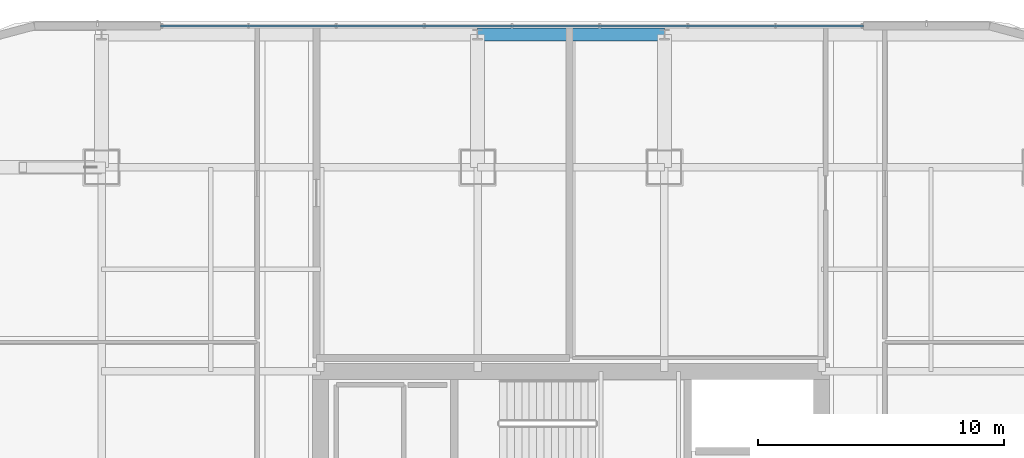
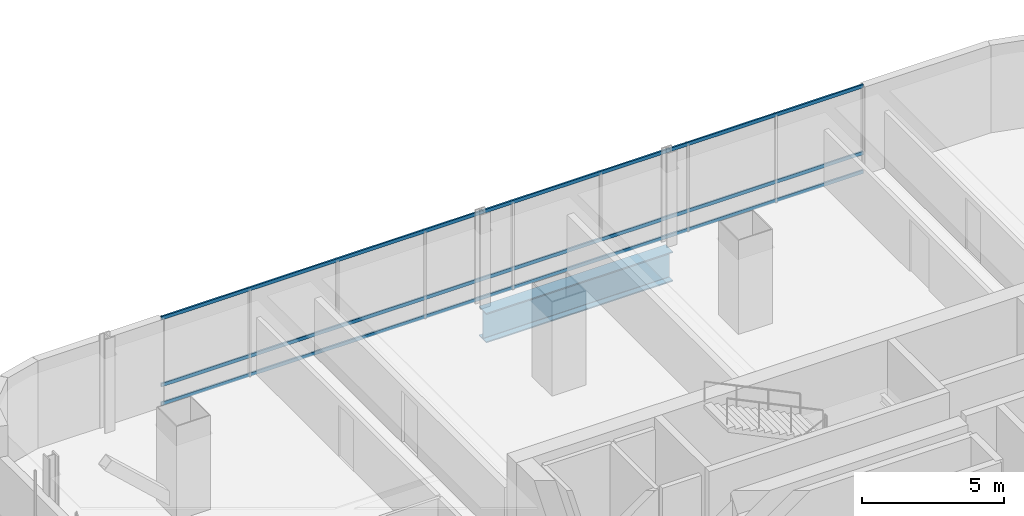
# One storey, part 24 of 47: 3 members, 1 beam, 1 element without a shape of its own.
"""IFC4 building model written with IfcOpenShell, lengths in metres."""

from ifc_helpers import new_model, si_unit, direction, frame, origin, origin_2d, place, context, subcontext, project, spatial, hollow_rectangle, i_section, extrude, material, material_profile, profile_set, type_object, element, aggregate, save


model = new_model("IFC4")

# Units and contexts
model_context = context("Model", 3, precision=1e-05, world=origin(), true_north=direction((0.0, 1.0)))
body_context = subcontext(model_context, "Body", "Model", "MODEL_VIEW")
ifc_project = project(units=[si_unit("LENGTHUNIT", "METRE"), si_unit("AREAUNIT", "SQUARE_METRE"), si_unit("VOLUMEUNIT", "CUBIC_METRE"), si_unit("PLANEANGLEUNIT", "RADIAN"), si_unit("MASSUNIT", "GRAM", prefix="KILO")], contexts=[model_context])

# Site, building, storey
site_placement = place(None, origin())
site = spatial("IfcSite", under=ifc_project, at=site_placement, CompositionType="ELEMENT")
building_placement = place(site_placement, origin())
building = spatial("IfcBuilding", under=site, at=building_placement, Name="Punatoya Terracotta Tower", CompositionType="ELEMENT")
storey_placement = place(building_placement, frame((0.0, 0.0, 168.14990234375)))
storey = spatial("IfcBuildingStorey", under=building, at=storey_placement, Name="L39", CompositionType="ELEMENT", Elevation=168.14990234375)

# Beam
ifc_material_1 = material(Name="Steel S460", Category="steel")
ifc_material_profile_1 = material_profile(ifc_material_1, i_section(OverallWidth=0.52001953125, OverallDepth=1.280029296875, WebThickness=0.031982421875, FlangeThickness=0.050048828125, FilletRadius=0.01806640625, at=origin_2d()))
ifc_profile_set_1 = profile_set([ifc_material_profile_1], Name="Steel S460")
beam_type = type_object("IfcBeamType", Name="BM-TG-NCK", PredefinedType="BEAM", material=ifc_profile_set_1)
beam_placement = place(storey_placement, frame((-3.800048828125, 22.89990234375, -0.85986328125), z_axis=(1.0, 0.0, 0.0), x_axis=(0.0, 1.0, 0.0)))
element("IfcBeam", 1, at=beam_placement, inside=storey, type_object=beam_type, Name="BM-L39-PER-N2", PredefinedType="BEAM", context=body_context, shape_type="SweptSolid", body=[
    extrude(i_section(OverallWidth=0.52001953125, OverallDepth=1.280029296875, WebThickness=0.031982421875, FlangeThickness=0.050048828125, FilletRadius=0.01806640625, at=origin_2d()), origin(), (0.0, 0.0, 1.0), 7.60009765625),
])

# Curtain wall, members
ifc_material_2 = material(Name="Aluminium 6063-T6 + Double Low-E Glass", Category="aluminium")
curtain_wall_type = type_object("IfcCurtainWallType", Name="CW-M2", PredefinedType="NOTDEFINED", material=ifc_material_2)
curtain_wall_placement = place(storey_placement, origin())
curtain_wall = element("IfcCurtainWall", 2, at=curtain_wall_placement, inside=storey, type_object=curtain_wall_type, Name="L39 Curtain Wall CW-L39-N09-1", PredefinedType="NOTDEFINED")
ifc_material_3 = material(Name="Aluminium 6063-T6", Category="aluminium")
ifc_material_profile_2 = material_profile(ifc_material_3, hollow_rectangle(XDim=0.068115234375, YDim=0.14990234375, WallThickness=0.00390625, at=origin_2d()))
ifc_profile_set_2 = profile_set([ifc_material_profile_2], Name="Aluminium 6063-T6")
member_type = type_object("IfcMemberType", Name="CW-TRN-TYP", PredefinedType="USERDEFINED", material=ifc_profile_set_2)
member_1_placement = place(storey_placement, frame((11.89990234375, 23.25, 0.0400390625), z_axis=(-1.0, 0.0, 0.0), x_axis=(0.0, -1.0, 0.0)))
member_1 = element("IfcMember", 3, at=member_1_placement, type_object=member_type, Name="CW-L39-N09-1 Transom 1", ObjectType="TRANSOM", PredefinedType="USERDEFINED", context=body_context, shape_type="SweptSolid", body=[
    extrude(hollow_rectangle(XDim=0.068115234375, YDim=0.14990234375, WallThickness=0.00390625, at=origin_2d()), origin(), (0.0, 0.0, 1.0), 28.599853515625),
])
member_2_placement = place(storey_placement, frame((11.89990234375, 23.25, 0.85009765625), z_axis=(-1.0, 0.0, 0.0), x_axis=(0.0, -1.0, 0.0)))
member_2 = element("IfcMember", 4, at=member_2_placement, type_object=member_type, Name="CW-L39-N09-1 Transom 2", ObjectType="TRANSOM", PredefinedType="USERDEFINED", context=body_context, shape_type="SweptSolid", body=[
    extrude(hollow_rectangle(XDim=0.068115234375, YDim=0.14990234375, WallThickness=0.00390625, at=origin_2d()), origin(), (0.0, 0.0, 1.0), 28.599853515625),
])
member_3_placement = place(storey_placement, frame((11.89990234375, 23.25, 3.72998046875), z_axis=(-1.0, 0.0, 0.0), x_axis=(0.0, -1.0, 0.0)))
member_3 = element("IfcMember", 5, at=member_3_placement, type_object=member_type, Name="CW-L39-N09-1 Transom 3", ObjectType="TRANSOM", PredefinedType="USERDEFINED", context=body_context, shape_type="SweptSolid", body=[
    extrude(hollow_rectangle(XDim=0.068115234375, YDim=0.14990234375, WallThickness=0.00390625, at=origin_2d()), origin(), (0.0, 0.0, 1.0), 28.599853515625),
])
aggregate(curtain_wall, [member_1, member_2, member_3])

save(model, "model.ifc")
